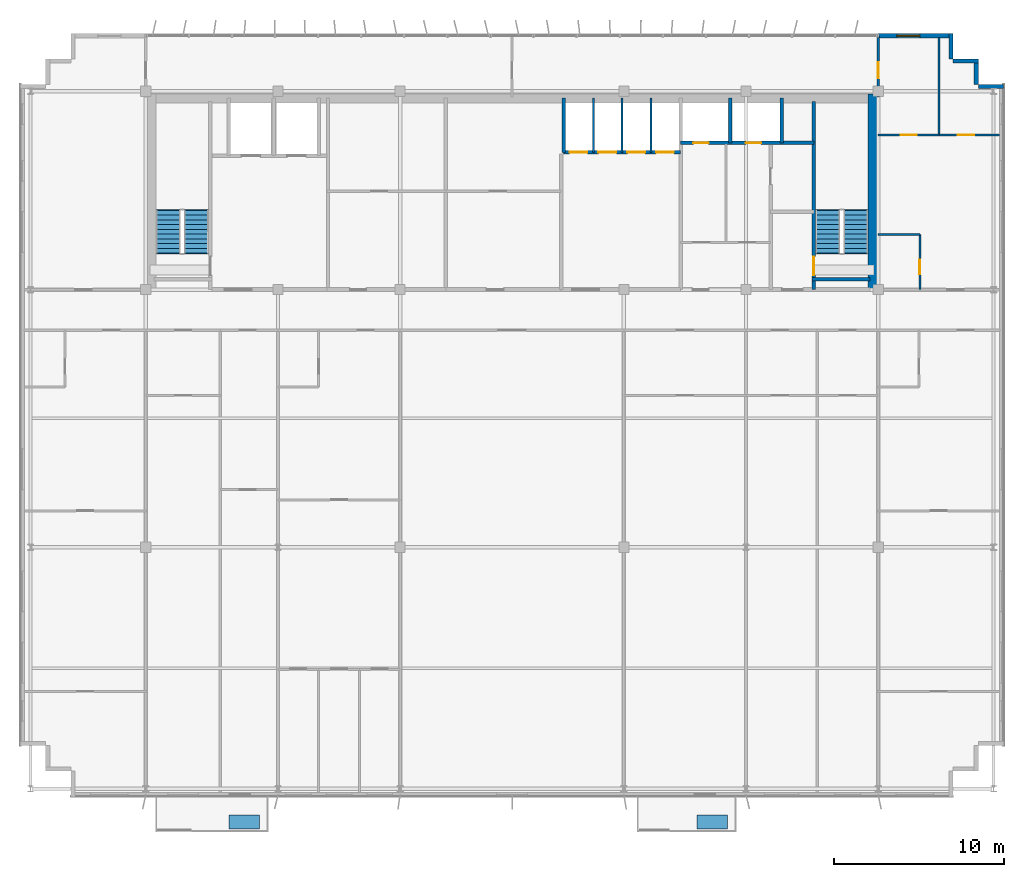
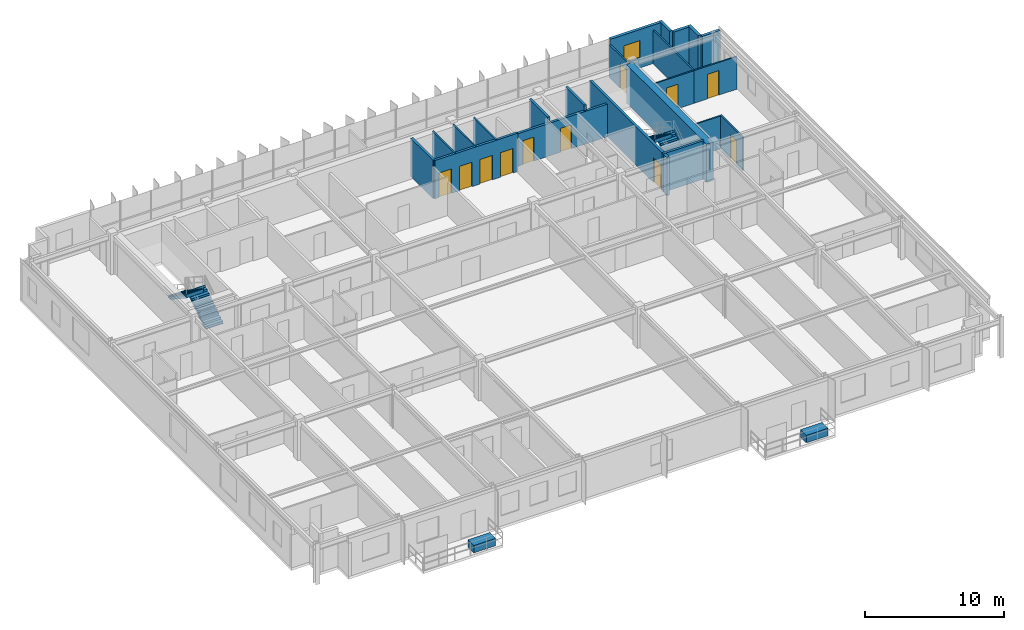
# One storey, part 20 of 22: 22 walls, 11 doors, 4 stair flights, 2 discrete accessories, 1 window, 12 openings, 2 elements without a shape of their own.
"""IFC4 building model written with IfcOpenShell, lengths in metres."""

from ifc_helpers import new_model, si_unit, direction, frame, frame_2d, origin, origin_2d, place, context, subcontext, project, spatial, polyline, rectangle, outline, extrude, source, transform, mapped, material, layer, layer_set, type_object, element, fill, aggregate, save


model = new_model("IFC4")

# Units and contexts
model_context = context("Model", 3, precision=1e-05, world=origin(), true_north=direction((0.0, 1.0)))
body_context = subcontext(model_context, "Body", "Model", "MODEL_VIEW")
ifc_project = project(units=[si_unit("LENGTHUNIT", "METRE"), si_unit("AREAUNIT", "SQUARE_METRE"), si_unit("VOLUMEUNIT", "CUBIC_METRE"), si_unit("PLANEANGLEUNIT", "RADIAN"), si_unit("MASSUNIT", "GRAM", prefix="KILO")], contexts=[model_context])

# Site, building, storey
site_placement = place(None, origin())
site = spatial("IfcSite", under=ifc_project, at=site_placement, CompositionType="ELEMENT")
building_placement = place(site_placement, origin())
building = spatial("IfcBuilding", under=site, at=building_placement, Name="Trelvane Seafront Commons", CompositionType="ELEMENT")
storey_placement = place(building_placement, frame((0.0, 0.0, 273.89990234375)))
storey = spatial("IfcBuildingStorey", under=building, at=storey_placement, Name="L71", CompositionType="ELEMENT", Elevation=273.89990234375)

# Wall, opening, window
ifc_material_1 = material(Name="Precast concrete C40/50", Category="concrete")
ifc_layer_1 = layer(ifc_material_1, 0.239990234375, Name="ARCH-WALL-EXT240")
ifc_layer_set_1 = layer_set([ifc_layer_1], Name="Precast concrete C40/50")
wall_type_1 = type_object("IfcWallType", Name="ARCH-WALL-EXT240", PredefinedType="SOLIDWALL", material=ifc_layer_set_1)
wall_1_placement = place(storey_placement, frame((58.800048828125, 48.3701171875, 0.0), z_axis=(0.0, 0.0, 1.0), x_axis=(1.0, 0.0, 0.0)))
wall_1 = element("IfcWall", 1, at=wall_1_placement, inside=storey, type_object=wall_type_1, Name="EW-L71-NE-1425", PredefinedType="SOLIDWALL", context=body_context, shape_type="SweptSolid", body=[
    extrude(rectangle(XDim=4.300048828125, YDim=0.239990234375, at=frame_2d((2.14990234375, 0.0))), origin(), (0.0, 0.0, 1.0), 3.3701171875),
])
opening_1_placement = place(wall_1_placement, frame((1.10205078125, 0.0, 0.89990234375)))
opening_1 = element("IfcOpeningElement", 2, at=opening_1_placement, cuts=wall_1, Name="Opening W09", PredefinedType="OPENING", context=body_context, shape_type="SweptSolid", body=[
    extrude(rectangle(XDim=1.35009765625, YDim=1.5, at=frame_2d((0.675048828125, 0.75))), frame((0.0, 0.1298828125, 0.0), z_axis=(0.0, -1.0, 0.0), x_axis=(1.0, 0.0, 0.0)), (0.0, 0.0, 1.0), 0.260009765625),
])
ifc_material_2 = material(Name="Low-E coastal double glazing", Category="glass")
window_type = type_object("IfcWindowType", Name="ARCH-WIN-W09", PartitioningType="SINGLE_PANEL", PredefinedType="WINDOW", material=ifc_material_2)
shared_shape_1 = source(origin(), body_context, "Body", "SweptSolid", [
    extrude(rectangle(XDim=1.35009765625, YDim=1.5, at=frame_2d((0.675048828125, 0.75))), frame((0.0, 0.030029296875, 0.0), z_axis=(0.0, -1.0, 0.0), x_axis=(1.0, 0.0, 0.0)), (0.0, 0.0, 1.0), 0.06005859375),
])
window_placement = place(opening_1_placement, origin())
window = element("IfcWindow", 3, at=window_placement, inside=storey, type_object=window_type, Name="WIN-L71-01698", OverallHeight=1.5, OverallWidth=1.35009765625, PartitioningType="SINGLE_PANEL", PredefinedType="WINDOW", context=body_context, shape_type="MappedRepresentation", body=[
    mapped(shared_shape_1, transform((0.0, 0.0, 0.0), x_axis=(1.0, 0.0, 0.0), y_axis=(0.0, 1.0, 0.0), z_axis=(0.0, 0.0, 1.0), scale=1.0)),
])
fill(opening_1, window)

# Walls
for number, where, z_axis, x_axis, name in (
    (4, (63.080078125, 48.5, 0.0), (0.0, 0.0, 1.0), (0.0, -1.0, 0.0), "EW-L71-01434"),
    (5, (63.199951171875, 46.8798828125, 0.0), (0.0, 0.0, 1.0), (1.0, 0.0, 0.0), "EW-L71-01435"),
    (6, (64.580078125, 47.0, 0.0), (0.0, 0.0, 1.0), (0.0, -1.0, 0.0), "EW-L71-01436"),
    (7, (64.699951171875, 45.3798828125, 0.0), (0.0, 0.0, 1.0), (1.0, 0.0, 0.0), "EW-L71-01437"),
):
    element("IfcWall", number, at=place(storey_placement, frame(where, z_axis=z_axis, x_axis=x_axis)), inside=storey, type_object=wall_type_1, Name=name, PredefinedType="SOLIDWALL", context=body_context, shape_type="SweptSolid", body=[
        extrude(rectangle(XDim=1.5, YDim=0.239990234375, at=frame_2d((0.75, 0.0))), origin(), (0.0, 0.0, 1.0), 3.3701171875),
    ])
ifc_material_3 = material(Name="Gypsum Drywall Acoustic Partition")
ifc_layer_2 = layer(ifc_material_3, 0.1201171875, Name="ARCH-WALL-PART120")
ifc_layer_set_2 = layer_set([ifc_layer_2], Name="Gypsum Drywall Acoustic Partition")
wall_type_2 = type_object("IfcWallType", Name="ARCH-WALL-PART120", PredefinedType="PARTITIONING", material=ifc_layer_set_2)
for number, where, z_axis, x_axis, name in (
    (8, (42.0, 41.5, 0.0), (0.0, 0.0, 1.0), (0.0, 1.0, 0.0), "W-L71-PH-DIV1-020"),
    (9, (43.699951171875, 41.5, 0.0), (0.0, 0.0, 1.0), (0.0, 1.0, 0.0), "W-L71-PH-DIV2-021"),
    (10, (45.39990234375, 41.5, 0.0), (0.0, 0.0, 1.0), (0.0, 1.0, 0.0), "W-L71-PH-DIV3-022"),
):
    element("IfcWall", number, at=place(storey_placement, frame(where, z_axis=z_axis, x_axis=x_axis)), inside=storey, type_object=wall_type_2, Name=name, PredefinedType="PARTITIONING", context=body_context, shape_type="SweptSolid", body=[
        extrude(rectangle(XDim=3.199951171875, YDim=0.1201171875, at=frame_2d((1.60009765625, 0.0))), origin(), (0.0, 0.0, 1.0), 3.3701171875),
    ])

# Wall, opening, door
wall_2_placement = place(storey_placement, frame((61.25, 33.39990234375, 0.0), z_axis=(0.0, 0.0, 1.0), x_axis=(0.0, 1.0, 0.0)))
wall_2 = element("IfcWall", 11, at=wall_2_placement, inside=storey, type_object=wall_type_2, Name="W-L71-NE-BE-036", PredefinedType="PARTITIONING", context=body_context, shape_type="SweptSolid", body=[
    extrude(rectangle(XDim=3.25, YDim=0.1201171875, at=frame_2d((1.625, 0.0))), origin(), (0.0, 0.0, 1.0), 2.920166015625),
])
opening_2_placement = place(wall_2_placement, frame((0.89990234375, 0.0, 0.0)))
opening_2 = element("IfcOpeningElement", 12, at=opening_2_placement, cuts=wall_2, Name="Opening D-L71-23", PredefinedType="OPENING", context=body_context, shape_type="SweptSolid", body=[
    extrude(rectangle(XDim=0.85009765625, YDim=2.10009765625, at=frame_2d((0.425048828125, 1.050048828125))), frame((0.0, 0.070068359375, 0.0), z_axis=(0.0, -1.0, 0.0), x_axis=(1.0, 0.0, 0.0)), (0.0, 0.0, 1.0), 0.14013671875),
])
ifc_material_4 = material(Name="Acoustic timber door leaf", Category="wood")
door_type_1 = type_object("IfcDoorType", Name="ARCH-DR-INT850", OperationType="NOTDEFINED", PredefinedType="DOOR", material=ifc_material_4)
shared_shape_2 = source(origin(), body_context, "Body", "SweptSolid", [
    extrude(rectangle(XDim=0.85009765625, YDim=2.10009765625, at=frame_2d((0.425048828125, 1.050048828125))), frame((0.0, 0.02490234375, 0.0), z_axis=(0.0, -1.0, 0.0), x_axis=(1.0, 0.0, 0.0)), (0.0, 0.0, 1.0), 0.050048828125),
])
door_1_placement = place(opening_2_placement, origin())
door_1 = element("IfcDoor", 13, at=door_1_placement, inside=storey, type_object=door_type_1, Name="L71 Door 23", OperationType="SINGLE_SWING_LEFT", OverallHeight=2.10009765625, OverallWidth=0.85009765625, PredefinedType="DOOR", context=body_context, shape_type="MappedRepresentation", body=[
    mapped(shared_shape_2, transform((0.0, 0.0, 0.0), x_axis=(1.0, 0.0, 0.0), y_axis=(0.0, 1.0, 0.0), z_axis=(0.0, 0.0, 1.0), scale=1.0)),
])
fill(opening_2, door_1)

# Wall
wall_3_placement = place(storey_placement, frame((58.800048828125, 36.64990234375, 0.0), z_axis=(0.0, 0.0, 1.0), x_axis=(1.0, 0.0, 0.0)))
element("IfcWall", 14, at=wall_3_placement, inside=storey, type_object=wall_type_2, Name="W-L71-NE-BN-037", PredefinedType="PARTITIONING", context=body_context, shape_type="SweptSolid", body=[
    extrude(rectangle(XDim=2.449951171875, YDim=0.1201171875, at=frame_2d((1.22509765625, 0.0))), origin(), (0.0, 0.0, 1.0), 2.8701171875),
])

# Wall, opening, door
wall_4_placement = place(storey_placement, frame((58.800048828125, 42.52001953125, 0.0), z_axis=(0.0, 0.0, 1.0), x_axis=(1.0, 0.0, 0.0)))
wall_4 = element("IfcWall", 15, at=wall_4_placement, inside=storey, type_object=wall_type_2, Name="W-L71-NE-KB1-038", PredefinedType="PARTITIONING", context=body_context, shape_type="SweptSolid", body=[
    extrude(rectangle(XDim=3.574951171875, YDim=0.1201171875, at=frame_2d((1.78759765625, 0.0))), origin(), (0.0, 0.0, 1.0), 2.8701171875),
])
opening_3_placement = place(wall_4_placement, frame((1.31298828125, 0.0, 0.0)))
opening_3 = element("IfcOpeningElement", 16, at=opening_3_placement, cuts=wall_4, Name="Opening D-L71-24", PredefinedType="OPENING", context=body_context, shape_type="SweptSolid", body=[
    extrude(rectangle(XDim=0.949951171875, YDim=2.14990234375, at=frame_2d((0.47509765625, 1.074951171875))), frame((0.0, 0.070068359375, 0.0), z_axis=(0.0, -1.0, 0.0), x_axis=(1.0, 0.0, 0.0)), (0.0, 0.0, 1.0), 0.14013671875),
])
door_type_2 = type_object("IfcDoorType", Name="ARCH-DR-INT950", OperationType="NOTDEFINED", PredefinedType="DOOR", material=ifc_material_4)
shared_shape_3 = source(origin(), body_context, "Body", "SweptSolid", [
    extrude(rectangle(XDim=0.949951171875, YDim=2.14990234375, at=frame_2d((0.47509765625, 1.074951171875))), frame((0.0, 0.02490234375, 0.0), z_axis=(0.0, -1.0, 0.0), x_axis=(1.0, 0.0, 0.0)), (0.0, 0.0, 1.0), 0.050048828125),
])
door_2_placement = place(opening_3_placement, origin())
door_2 = element("IfcDoor", 17, at=door_2_placement, inside=storey, type_object=door_type_2, Name="L71 Door 24", OperationType="SINGLE_SWING_RIGHT", OverallHeight=2.14990234375, OverallWidth=0.949951171875, PredefinedType="DOOR", context=body_context, shape_type="MappedRepresentation", body=[
    mapped(shared_shape_3, transform((0.0, 0.0, 0.0), x_axis=(1.0, 0.0, 0.0), y_axis=(0.0, 1.0, 0.0), z_axis=(0.0, 0.0, 1.0), scale=1.0)),
])
fill(opening_3, door_2)

wall_5_placement = place(storey_placement, frame((62.375, 42.52001953125, 0.0), z_axis=(0.0, 0.0, 1.0), x_axis=(1.0, 0.0, 0.0)))
wall_5 = element("IfcWall", 18, at=wall_5_placement, inside=storey, type_object=wall_type_2, Name="W-L71-NE-KB2-039", PredefinedType="PARTITIONING", context=body_context, shape_type="SweptSolid", body=[
    extrude(rectangle(XDim=3.574951171875, YDim=0.1201171875, at=frame_2d((1.78759765625, 0.0))), origin(), (0.0, 0.0, 1.0), 2.8701171875),
])
opening_4_placement = place(wall_5_placement, frame((1.1259765625, 0.0, 0.0)))
opening_4 = element("IfcOpeningElement", 19, at=opening_4_placement, cuts=wall_5, Name="Opening D-L71-25", PredefinedType="OPENING", context=body_context, shape_type="SweptSolid", body=[
    extrude(rectangle(XDim=0.949951171875, YDim=2.14990234375, at=frame_2d((0.47509765625, 1.074951171875))), frame((0.0, 0.070068359375, 0.0), z_axis=(0.0, -1.0, 0.0), x_axis=(1.0, 0.0, 0.0)), (0.0, 0.0, 1.0), 0.14013671875),
])
door_3_placement = place(opening_4_placement, origin())
door_3 = element("IfcDoor", 20, at=door_3_placement, inside=storey, type_object=door_type_2, Name="L71 Door 25", OperationType="SINGLE_SWING_LEFT", OverallHeight=2.14990234375, OverallWidth=0.949951171875, PredefinedType="DOOR", context=body_context, shape_type="MappedRepresentation", body=[
    mapped(shared_shape_3, transform((0.0, 0.0, 0.0), x_axis=(1.0, 0.0, 0.0), y_axis=(0.0, 1.0, 0.0), z_axis=(0.0, 0.0, 1.0), scale=1.0)),
])
fill(opening_4, door_3)

# Wall
wall_6_placement = place(storey_placement, frame((62.375, 42.52001953125, 0.0), z_axis=(0.0, 0.0, 1.0), x_axis=(0.0, 1.0, 0.0)))
element("IfcWall", 21, at=wall_6_placement, inside=storey, type_object=wall_type_2, Name="W-L71-NE-KBDV-040", PredefinedType="PARTITIONING", context=body_context, shape_type="SweptSolid", body=[
    extrude(rectangle(XDim=5.739990234375, YDim=0.1201171875, at=frame_2d((2.8701171875, 0.0))), origin(), (0.0, 0.0, 1.0), 2.920166015625),
])

# Wall, opening, door
ifc_layer_3 = layer(ifc_material_3, 0.14990234375, Name="ARCH-WALL-PART150")
ifc_layer_set_3 = layer_set([ifc_layer_3], Name="Gypsum Drywall Acoustic Partition")
wall_type_3 = type_object("IfcWallType", Name="ARCH-WALL-PART150", PredefinedType="PARTITIONING", material=ifc_layer_set_3)
wall_7_placement = place(storey_placement, frame((58.800048828125, 44.75, 0.0), z_axis=(0.0, 0.0, 1.0), x_axis=(0.0, 1.0, 0.0)))
wall_7 = element("IfcWall", 22, at=wall_7_placement, inside=storey, type_object=wall_type_3, Name="W-L71-N-LINK-E-044", PredefinedType="PARTITIONING", context=body_context, shape_type="SweptSolid", body=[
    extrude(rectangle(XDim=3.610107421875, YDim=0.14990234375, at=frame_2d((1.80517578125, 0.0))), origin(), (0.0, 0.0, 1.0), 2.8701171875),
])
opening_5_placement = place(wall_7_placement, frame((1.10009765625, 0.0, 0.0)))
opening_5 = element("IfcOpeningElement", 23, at=opening_5_placement, cuts=wall_7, Name="Opening FD-L71-29", PredefinedType="OPENING", context=body_context, shape_type="SweptSolid", body=[
    extrude(rectangle(XDim=0.949951171875, YDim=2.14990234375, at=frame_2d((0.47509765625, 1.074951171875))), frame((0.0, 0.0849609375, 0.0), z_axis=(0.0, -1.0, 0.0), x_axis=(1.0, 0.0, 0.0)), (0.0, 0.0, 1.0), 0.169921875),
])
ifc_material_5 = material(Name="Powder-coated aluminium frame", Category="aluminium")
door_type_3 = type_object("IfcDoorType", Name="ARCH-DR-FD60-950", OperationType="NOTDEFINED", PredefinedType="DOOR", material=ifc_material_5)
door_4_placement = place(opening_5_placement, origin())
door_4 = element("IfcDoor", 24, at=door_4_placement, inside=storey, type_object=door_type_3, Name="L71 Door 29", OperationType="SINGLE_SWING_LEFT", OverallHeight=2.14990234375, OverallWidth=0.949951171875, PredefinedType="DOOR", context=body_context, shape_type="MappedRepresentation", body=[
    mapped(shared_shape_3, transform((0.0, 0.0, 0.0), x_axis=(1.0, 0.0, 0.0), y_axis=(0.0, 1.0, 0.0), z_axis=(0.0, 0.0, 1.0), scale=1.0)),
])
fill(opening_5, door_4)

# Wall, openings, doors
ifc_material_6 = material(Name="Concrete C40/50", Category="concrete")
ifc_layer_4 = layer(ifc_material_6, 0.199951171875, Name="ARCH-WALL-SHAFT200")
ifc_layer_set_4 = layer_set([ifc_layer_4], Name="Concrete C40/50")
wall_type_4 = type_object("IfcWallType", Name="ARCH-WALL-SHAFT200", PredefinedType="SOLIDWALL", material=ifc_layer_set_4)
wall_8_placement = place(storey_placement, frame((40.25, 41.5, 0.0), z_axis=(0.0, 0.0, 1.0), x_axis=(1.0, 0.0, 0.0)))
wall_8 = element("IfcWall", 25, at=wall_8_placement, inside=storey, type_object=wall_type_4, Name="W-L71-PH-FRONT-018", PredefinedType="SOLIDWALL", context=body_context, shape_type="SweptSolid", body=[
    extrude(rectangle(XDim=6.89990234375, YDim=0.199951171875, at=frame_2d((3.449951171875, 0.0))), origin(), (0.0, 0.0, 1.0), 3.3701171875),
])
opening_6_placement = place(wall_8_placement, frame((0.35009765625, 0.0, 0.0)))
opening_6 = element("IfcOpeningElement", 26, at=opening_6_placement, cuts=wall_8, Name="Opening LD-PH1-L71", PredefinedType="OPENING", context=body_context, shape_type="SweptSolid", body=[
    extrude(rectangle(XDim=1.050048828125, YDim=2.14990234375, at=frame_2d((0.52490234375, 1.074951171875))), frame((0.0, 0.10986328125, 0.0), z_axis=(0.0, -1.0, 0.0), x_axis=(1.0, 0.0, 0.0)), (0.0, 0.0, 1.0), 0.219970703125),
])
opening_7_placement = place(wall_8_placement, frame((2.050048828125, 0.0, 0.0)))
opening_7 = element("IfcOpeningElement", 27, at=opening_7_placement, cuts=wall_8, Name="Opening LD-PH2-L71", PredefinedType="OPENING", context=body_context, shape_type="SweptSolid", body=[
    extrude(rectangle(XDim=1.050048828125, YDim=2.14990234375, at=frame_2d((0.52490234375, 1.074951171875))), frame((0.0, 0.10986328125, 0.0), z_axis=(0.0, -1.0, 0.0), x_axis=(1.0, 0.0, 0.0)), (0.0, 0.0, 1.0), 0.219970703125),
])
opening_8_placement = place(wall_8_placement, frame((3.75, 0.0, 0.0)))
opening_8 = element("IfcOpeningElement", 28, at=opening_8_placement, cuts=wall_8, Name="Opening LD-PH3-L71", PredefinedType="OPENING", context=body_context, shape_type="SweptSolid", body=[
    extrude(rectangle(XDim=1.050048828125, YDim=2.14990234375, at=frame_2d((0.52490234375, 1.074951171875))), frame((0.0, 0.10986328125, 0.0), z_axis=(0.0, -1.0, 0.0), x_axis=(1.0, 0.0, 0.0)), (0.0, 0.0, 1.0), 0.219970703125),
])
opening_9_placement = place(wall_8_placement, frame((5.449951171875, 0.0, 0.0)))
opening_9 = element("IfcOpeningElement", 29, at=opening_9_placement, cuts=wall_8, Name="Opening LD-PH4-L71", PredefinedType="OPENING", context=body_context, shape_type="SweptSolid", body=[
    extrude(rectangle(XDim=1.050048828125, YDim=2.14990234375, at=frame_2d((0.52490234375, 1.074951171875))), frame((0.0, 0.10986328125, 0.0), z_axis=(0.0, -1.0, 0.0), x_axis=(1.0, 0.0, 0.0)), (0.0, 0.0, 1.0), 0.219970703125),
])
ifc_material_7 = material(Name="Stainless steel balustrade", Category="steel")
door_type_4 = type_object("IfcDoorType", Name="ARCH-DR-LD1050", OperationType="DOUBLE_DOOR_SLIDING", PredefinedType="DOOR", material=ifc_material_7)
shared_shape_4 = source(origin(), body_context, "Body", "SweptSolid", [
    extrude(rectangle(XDim=1.050048828125, YDim=2.14990234375, at=frame_2d((0.52490234375, 1.074951171875))), frame((0.0, 0.02490234375, 0.0), z_axis=(0.0, -1.0, 0.0), x_axis=(1.0, 0.0, 0.0)), (0.0, 0.0, 1.0), 0.050048828125),
])
door_5_placement = place(opening_6_placement, origin())
door_5 = element("IfcDoor", 30, at=door_5_placement, inside=storey, type_object=door_type_4, Name="L71 Passenger Lift PH-1 Landing Door", OperationType="DOUBLE_DOOR_SLIDING", OverallHeight=2.14990234375, OverallWidth=1.050048828125, PredefinedType="DOOR", context=body_context, shape_type="MappedRepresentation", body=[
    mapped(shared_shape_4, transform((0.0, 0.0, 0.0), x_axis=(1.0, 0.0, 0.0), y_axis=(0.0, 1.0, 0.0), z_axis=(0.0, 0.0, 1.0), scale=1.0)),
])
fill(opening_6, door_5)
door_6_placement = place(opening_7_placement, origin())
door_6 = element("IfcDoor", 31, at=door_6_placement, inside=storey, type_object=door_type_4, Name="L71 Passenger Lift PH-2 Landing Door", OperationType="DOUBLE_DOOR_SLIDING", OverallHeight=2.14990234375, OverallWidth=1.050048828125, PredefinedType="DOOR", context=body_context, shape_type="MappedRepresentation", body=[
    mapped(shared_shape_4, transform((0.0, 0.0, 0.0), x_axis=(1.0, 0.0, 0.0), y_axis=(0.0, 1.0, 0.0), z_axis=(0.0, 0.0, 1.0), scale=1.0)),
])
fill(opening_7, door_6)
door_7_placement = place(opening_8_placement, origin())
door_7 = element("IfcDoor", 32, at=door_7_placement, inside=storey, type_object=door_type_4, Name="L71 Passenger Lift PH-3 Landing Door", OperationType="DOUBLE_DOOR_SLIDING", OverallHeight=2.14990234375, OverallWidth=1.050048828125, PredefinedType="DOOR", context=body_context, shape_type="MappedRepresentation", body=[
    mapped(shared_shape_4, transform((0.0, 0.0, 0.0), x_axis=(1.0, 0.0, 0.0), y_axis=(0.0, 1.0, 0.0), z_axis=(0.0, 0.0, 1.0), scale=1.0)),
])
fill(opening_8, door_7)
door_8_placement = place(opening_9_placement, origin())
door_8 = element("IfcDoor", 33, at=door_8_placement, inside=storey, type_object=door_type_4, Name="L71 Passenger Lift PH-4 Landing Door", OperationType="DOUBLE_DOOR_SLIDING", OverallHeight=2.14990234375, OverallWidth=1.050048828125, PredefinedType="DOOR", context=body_context, shape_type="MappedRepresentation", body=[
    mapped(shared_shape_4, transform((0.0, 0.0, 0.0), x_axis=(1.0, 0.0, 0.0), y_axis=(0.0, 1.0, 0.0), z_axis=(0.0, 0.0, 1.0), scale=1.0)),
])
fill(opening_9, door_8)

# Wall
wall_9_placement = place(storey_placement, frame((40.25, 41.5, 0.0), z_axis=(0.0, 0.0, 1.0), x_axis=(0.0, 1.0, 0.0)))
element("IfcWall", 34, at=wall_9_placement, inside=storey, type_object=wall_type_4, Name="W-L71-PH-WEST-SH-019", PredefinedType="SOLIDWALL", context=body_context, shape_type="SweptSolid", body=[
    extrude(rectangle(XDim=3.199951171875, YDim=0.199951171875, at=frame_2d((1.60009765625, 0.0))), origin(), (0.0, 0.0, 1.0), 3.3701171875),
])

# Wall, openings, doors
wall_10_placement = place(storey_placement, frame((47.14990234375, 42.050048828125, 0.0), z_axis=(0.0, 0.0, 1.0), x_axis=(1.0, 0.0, 0.0)))
wall_10 = element("IfcWall", 35, at=wall_10_placement, inside=storey, type_object=wall_type_4, Name="W-L71-RSR-S-027", PredefinedType="SOLIDWALL", context=body_context, shape_type="SweptSolid", body=[
    extrude(rectangle(XDim=7.85009765625, YDim=0.199951171875, at=frame_2d((3.925048828125, 0.0))), origin(), (0.0, 0.0, 1.0), 2.8701171875),
])
opening_10_placement = place(wall_10_placement, frame((0.75, 0.0, 0.0)))
opening_10 = element("IfcOpeningElement", 36, at=opening_10_placement, cuts=wall_10, Name="Opening FD-L71-15", PredefinedType="OPENING", context=body_context, shape_type="SweptSolid", body=[
    extrude(rectangle(XDim=0.89990234375, YDim=2.10009765625, at=frame_2d((0.449951171875, 1.050048828125))), frame((0.0, 0.10986328125, 0.0), z_axis=(0.0, -1.0, 0.0), x_axis=(1.0, 0.0, 0.0)), (0.0, 0.0, 1.0), 0.219970703125),
])
opening_11_placement = place(wall_10_placement, frame((3.85009765625, 0.0, 0.0)))
opening_11 = element("IfcOpeningElement", 37, at=opening_11_placement, cuts=wall_10, Name="Opening FD-L71-16", PredefinedType="OPENING", context=body_context, shape_type="SweptSolid", body=[
    extrude(rectangle(XDim=0.89990234375, YDim=2.10009765625, at=frame_2d((0.449951171875, 1.050048828125))), frame((0.0, 0.10986328125, 0.0), z_axis=(0.0, -1.0, 0.0), x_axis=(1.0, 0.0, 0.0)), (0.0, 0.0, 1.0), 0.219970703125),
])
door_type_5 = type_object("IfcDoorType", Name="ARCH-DR-FD60-900", OperationType="NOTDEFINED", PredefinedType="DOOR", material=ifc_material_5)
shared_shape_5 = source(origin(), body_context, "Body", "SweptSolid", [
    extrude(rectangle(XDim=0.89990234375, YDim=2.10009765625, at=frame_2d((0.449951171875, 1.050048828125))), frame((0.0, 0.02490234375, 0.0), z_axis=(0.0, -1.0, 0.0), x_axis=(1.0, 0.0, 0.0)), (0.0, 0.0, 1.0), 0.050048828125),
])
door_9_placement = place(opening_10_placement, origin())
door_9 = element("IfcDoor", 38, at=door_9_placement, inside=storey, type_object=door_type_5, Name="L71 Electrical Riser Access Door", OperationType="SINGLE_SWING_LEFT", OverallHeight=2.10009765625, OverallWidth=0.89990234375, PredefinedType="DOOR", context=body_context, shape_type="MappedRepresentation", body=[
    mapped(shared_shape_5, transform((0.0, 0.0, 0.0), x_axis=(1.0, 0.0, 0.0), y_axis=(0.0, 1.0, 0.0), z_axis=(0.0, 0.0, 1.0), scale=1.0)),
])
fill(opening_10, door_9)
door_10_placement = place(opening_11_placement, origin())
door_10 = element("IfcDoor", 39, at=door_10_placement, inside=storey, type_object=door_type_5, Name="L71 Mechanical Riser Access Door", OperationType="SINGLE_SWING_RIGHT", OverallHeight=2.10009765625, OverallWidth=0.89990234375, PredefinedType="DOOR", context=body_context, shape_type="MappedRepresentation", body=[
    mapped(shared_shape_5, transform((0.0, 0.0, 0.0), x_axis=(1.0, 0.0, 0.0), y_axis=(0.0, 1.0, 0.0), z_axis=(0.0, 0.0, 1.0), scale=1.0)),
])
fill(opening_11, door_10)

# Walls
for number, where, z_axis, x_axis, name in (
    (40, (50.080078125, 42.050048828125, 0.0), (0.0, 0.0, 1.0), (0.0, 1.0, 0.0), "W-L71-RSR-DIV-028"),
    (41, (53.10009765625, 42.050048828125, 0.0), (0.0, 0.0, 1.0), (0.0, 1.0, 0.0), "W-L71-RSR-E-029"),
):
    element("IfcWall", number, at=place(storey_placement, frame(where, z_axis=z_axis, x_axis=x_axis)), inside=storey, type_object=wall_type_4, Name=name, PredefinedType="SOLIDWALL", context=body_context, shape_type="SweptSolid", body=[
        extrude(rectangle(XDim=2.64990234375, YDim=0.199951171875, at=frame_2d((1.324951171875, 0.0))), origin(), (0.0, 0.0, 1.0), 3.3701171875),
    ])
ifc_material_8 = material(Name="Concrete C50/60", Category="concrete")
ifc_layer_5 = layer(ifc_material_8, 0.550048828125, Name="STR-WALL-CORE550")
ifc_layer_set_5 = layer_set([ifc_layer_5], Name="Concrete C50/60")
wall_type_5 = type_object("IfcWallType", Name="STR-WALL-CORE550", PredefinedType="SHEAR", material=ifc_layer_set_5)
wall_11_placement = place(storey_placement, frame((58.47509765625, 33.39990234375, 0.0), z_axis=(0.0, 0.0, 1.0), x_axis=(0.0, 1.0, 0.0)))
element("IfcWall", 42, at=wall_11_placement, inside=storey, type_object=wall_type_5, Name="W-L71-CE-END-003", PredefinedType="SHEAR", context=body_context, shape_type="SweptSolid", body=[
    extrude(rectangle(XDim=11.550048828125, YDim=0.550048828125, at=frame_2d((5.77490234375, 0.0))), origin(), (0.0, 0.0, 1.0), 3.3701171875),
])
ifc_layer_6 = layer(ifc_material_8, 0.199951171875, Name="STR-WALL-STAIR200")
ifc_layer_set_6 = layer_set([ifc_layer_6], Name="Concrete C50/60")
wall_type_6 = type_object("IfcWallType", Name="STR-WALL-STAIR200", PredefinedType="SHEAR", material=ifc_layer_set_6)
wall_12_placement = place(storey_placement, frame((54.89990234375, 34.0, 0.0), z_axis=(0.0, 0.0, 1.0), x_axis=(1.0, 0.0, 0.0)))
element("IfcWall", 43, at=wall_12_placement, inside=storey, type_object=wall_type_6, Name="W-L71-ST2-S-006", PredefinedType="SHEAR", context=body_context, shape_type="SweptSolid", body=[
    extrude(rectangle(XDim=3.400146484375, YDim=0.199951171875, at=frame_2d((1.7001953125, 0.0))), origin(), (0.0, 0.0, 1.0), 3.3701171875),
])

# Wall, opening, door
wall_13_placement = place(storey_placement, frame((55.0, 33.39990234375, 0.0), z_axis=(0.0, 0.0, 1.0), x_axis=(0.0, 1.0, 0.0)))
wall_13 = element("IfcWall", 44, at=wall_13_placement, inside=storey, type_object=wall_type_6, Name="W-L71-ST2-W-007", PredefinedType="SHEAR", context=body_context, shape_type="SweptSolid", body=[
    extrude(rectangle(XDim=11.10009765625, YDim=0.199951171875, at=frame_2d((5.550048828125, 0.0))), origin(), (0.0, 0.0, 1.0), 3.3701171875),
])
opening_12_placement = place(wall_13_placement, frame((0.85009765625, 0.0, 0.0)))
opening_12 = element("IfcOpeningElement", 45, at=opening_12_placement, cuts=wall_13, Name="Opening ST-D2-L71", PredefinedType="OPENING", context=body_context, shape_type="SweptSolid", body=[
    extrude(rectangle(XDim=1.10009765625, YDim=2.14990234375, at=frame_2d((0.550048828125, 1.074951171875))), frame((0.0, 0.10986328125, 0.0), z_axis=(0.0, -1.0, 0.0), x_axis=(1.0, 0.0, 0.0)), (0.0, 0.0, 1.0), 0.219970703125),
])
door_type_6 = type_object("IfcDoorType", Name="ARCH-DR-FD90-1100", OperationType="NOTDEFINED", PredefinedType="DOOR", material=ifc_material_5)
shared_shape_6 = source(origin(), body_context, "Body", "SweptSolid", [
    extrude(rectangle(XDim=1.10009765625, YDim=2.14990234375, at=frame_2d((0.550048828125, 1.074951171875))), frame((0.0, 0.02490234375, 0.0), z_axis=(0.0, -1.0, 0.0), x_axis=(1.0, 0.0, 0.0)), (0.0, 0.0, 1.0), 0.050048828125),
])
door_11_placement = place(opening_12_placement, origin())
door_11 = element("IfcDoor", 46, at=door_11_placement, inside=storey, type_object=door_type_6, Name="L71 Stair ST-2 Vestibule Fire Door", OperationType="SINGLE_SWING_RIGHT", OverallHeight=2.14990234375, OverallWidth=1.10009765625, PredefinedType="DOOR", context=body_context, shape_type="MappedRepresentation", body=[
    mapped(shared_shape_6, transform((0.0, 0.0, 0.0), x_axis=(1.0, 0.0, 0.0), y_axis=(0.0, 1.0, 0.0), z_axis=(0.0, 0.0, 1.0), scale=1.0)),
])
fill(opening_12, door_11)

# Stair, stair flights
stair_type_1 = type_object("IfcStairType", Name="ARCH-STR-ST-1-R20-180", PredefinedType="HALF_TURN_STAIR", material=ifc_material_6)
stair_1_placement = place(storey_placement, origin())
stair_1 = element("IfcStair", 47, at=stair_1_placement, inside=storey, type_object=stair_type_1, Name="L71 West Protected Firefighting Exit Stair ST-1", PredefinedType="HALF_TURN_STAIR")
stair_flight_type_1 = type_object("IfcStairFlightType", Name="ARCH-FLG-ST-1-R20-180", PredefinedType="STRAIGHT", material=ifc_material_6)
shared_shape_7 = source(origin(), body_context, "Body", "SweptSolid", [
    extrude(outline(polyline([(-0.050048828125, -0.02001953125), (-0.050048828125, 0.0), (0.0, 0.0), (0.0, 0.179931640625), (0.280029296875, 0.179931640625), (0.280029296875, 0.360107421875), (0.56005859375, 0.360107421875), (0.56005859375, 0.5400390625), (0.840087890625, 0.5400390625), (0.840087890625, 0.719970703125), (1.1201171875, 0.719970703125), (1.1201171875, 0.89990234375), (1.39990234375, 0.89990234375), (1.39990234375, 1.080078125), (1.679931640625, 1.080078125), (1.679931640625, 1.260009765625), (1.9599609375, 1.260009765625), (1.9599609375, 1.43994140625), (2.239990234375, 1.43994140625), (2.239990234375, 1.6201171875), (2.52001953125, 1.6201171875), (2.52001953125, 1.800048828125), (2.570068359375, 1.800048828125), (2.570068359375, 1.650146484375), (2.52001953125, 1.44189453125), (0.277099609375, -0.02001953125), (-0.050048828125, -0.02001953125)])), frame((0.0, 0.72509765625, 0.0), z_axis=(0.0, -1.0, 0.0), x_axis=(1.0, 0.0, 0.0)), (0.0, 0.0, 1.0), 1.449951171875),
])
stair_flight_1_placement = place(storey_placement, frame((18.574951171875, 35.550048828125, 0.0), z_axis=(0.0, 0.0, 1.0), x_axis=(0.0, 1.0, 0.0)))
stair_flight_1 = element("IfcStairFlight", 48, at=stair_flight_1_placement, type_object=stair_flight_type_1, Name="ST-1 flight 1", NumberOfRisers=10, NumberOfTreads=9, PredefinedType="STRAIGHT", RiserHeight=0.18, TreadLength=0.28, context=body_context, shape_type="MappedRepresentation", body=[
    mapped(shared_shape_7, transform((0.0, 0.0, 0.0), x_axis=(1.0, 0.0, 0.0), y_axis=(0.0, 1.0, 0.0), z_axis=(0.0, 0.0, 1.0), scale=1.0)),
])
stair_flight_2_placement = place(storey_placement, frame((16.925048828125, 38.070068359375, 1.800048828125), z_axis=(0.0, 0.0, 1.0), x_axis=(0.0, -1.0, 0.0)))
stair_flight_2 = element("IfcStairFlight", 49, at=stair_flight_2_placement, type_object=stair_flight_type_1, Name="ST-1 flight 2", NumberOfRisers=10, NumberOfTreads=9, PredefinedType="STRAIGHT", RiserHeight=0.18, TreadLength=0.28, context=body_context, shape_type="MappedRepresentation", body=[
    mapped(shared_shape_7, transform((0.0, 0.0, 0.0), x_axis=(1.0, 0.0, 0.0), y_axis=(0.0, 1.0, 0.0), z_axis=(0.0, 0.0, 1.0), scale=1.0)),
])
aggregate(stair_1, [stair_flight_1, stair_flight_2])

stair_type_2 = type_object("IfcStairType", Name="ARCH-STR-ST-2-R20-180", PredefinedType="HALF_TURN_STAIR", material=ifc_material_6)
stair_2_placement = place(storey_placement, origin())
stair_2 = element("IfcStair", 50, at=stair_2_placement, inside=storey, type_object=stair_type_2, Name="L71 East Protected Firefighting Exit Stair ST-2", PredefinedType="HALF_TURN_STAIR")
stair_flight_type_2 = type_object("IfcStairFlightType", Name="ARCH-FLG-ST-2-R20-180", PredefinedType="STRAIGHT", material=ifc_material_6)
stair_flight_3_placement = place(storey_placement, frame((57.47509765625, 35.550048828125, 0.0), z_axis=(0.0, 0.0, 1.0), x_axis=(0.0, 1.0, 0.0)))
stair_flight_3 = element("IfcStairFlight", 51, at=stair_flight_3_placement, type_object=stair_flight_type_2, Name="ST-2 flight 1", NumberOfRisers=10, NumberOfTreads=9, PredefinedType="STRAIGHT", RiserHeight=0.18, TreadLength=0.28, context=body_context, shape_type="MappedRepresentation", body=[
    mapped(shared_shape_7, transform((0.0, 0.0, 0.0), x_axis=(1.0, 0.0, 0.0), y_axis=(0.0, 1.0, 0.0), z_axis=(0.0, 0.0, 1.0), scale=1.0)),
])
stair_flight_4_placement = place(storey_placement, frame((55.824951171875, 38.070068359375, 1.800048828125), z_axis=(0.0, 0.0, 1.0), x_axis=(0.0, -1.0, 0.0)))
stair_flight_4 = element("IfcStairFlight", 52, at=stair_flight_4_placement, type_object=stair_flight_type_2, Name="ST-2 flight 2", NumberOfRisers=10, NumberOfTreads=9, PredefinedType="STRAIGHT", RiserHeight=0.18, TreadLength=0.28, context=body_context, shape_type="MappedRepresentation", body=[
    mapped(shared_shape_7, transform((0.0, 0.0, 0.0), x_axis=(1.0, 0.0, 0.0), y_axis=(0.0, 1.0, 0.0), z_axis=(0.0, 0.0, 1.0), scale=1.0)),
])
aggregate(stair_2, [stair_flight_3, stair_flight_4])

# Discrete accessories
discrete_accessory_type = type_object("IfcDiscreteAccessoryType", Name="ARCH-ACC-PLANTER", PredefinedType="USERDEFINED", material=ifc_material_1)
shared_shape_8 = source(origin(), body_context, "Body", "SweptSolid", [
    extrude(rectangle(XDim=1.800048828125, YDim=0.85009765625, at=origin_2d()), origin(), (0.0, 0.0, 1.0), 0.64990234375),
])
for number, where, z_axis, x_axis, name in (
    (53, (21.39990234375, 2.0, 0.000244140625), (0.0, 0.0, 1.0), (1.0, 0.0, 0.0), "PLN-L71-B0-073"),
    (54, (49.0, 2.0, 0.000244140625), (0.0, 0.0, 1.0), (1.0, 0.0, 0.0), "PLN-L71-B1-074"),
):
    element("IfcDiscreteAccessory", number, at=place(storey_placement, frame(where, z_axis=z_axis, x_axis=x_axis)), inside=storey, type_object=discrete_accessory_type, Name=name, ObjectType="BALCONY TREE PLANTER", PredefinedType="USERDEFINED", context=body_context, shape_type="MappedRepresentation", body=[
        mapped(shared_shape_8, transform((0.0, 0.0, 0.0), x_axis=(1.0, 0.0, 0.0), y_axis=(0.0, 1.0, 0.0), z_axis=(0.0, 0.0, 1.0), scale=1.0)),
    ])

save(model, "model.ifc")
